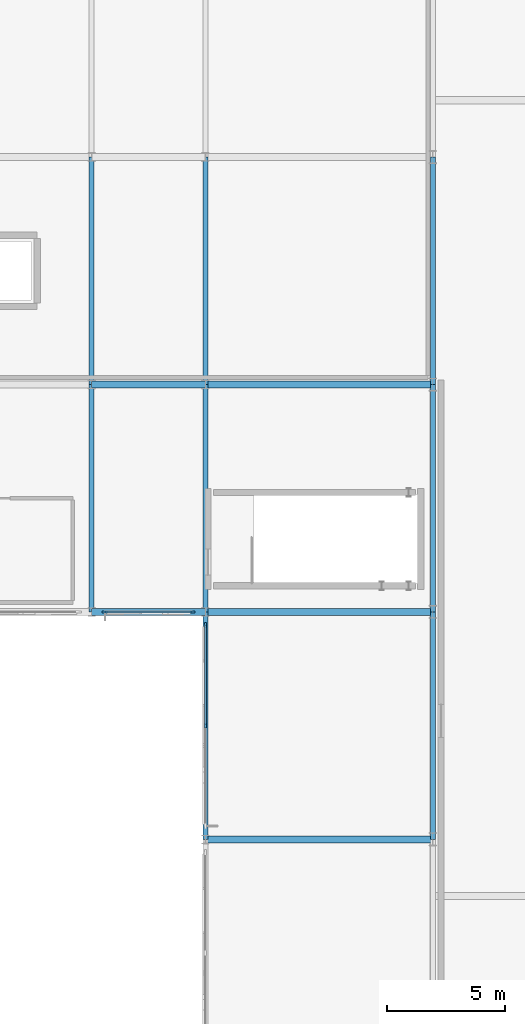
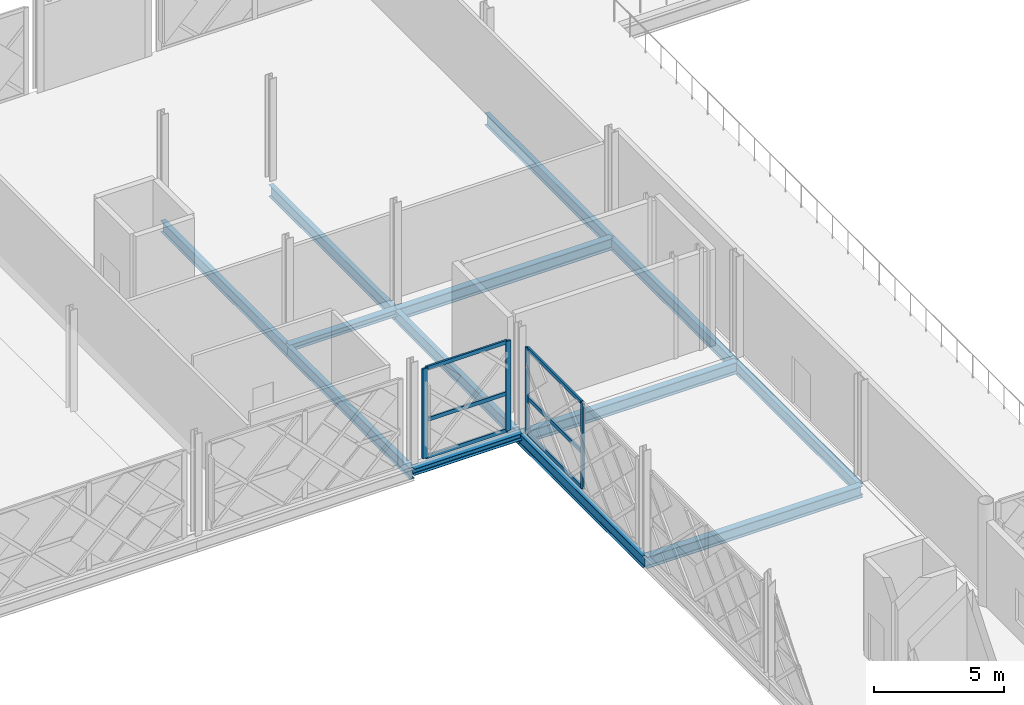
# One storey, part 30 of 77: 13 beams, 10 members, 2 elements without a shape of their own.
"""IFC4 building model written with IfcOpenShell, lengths in metres."""

from ifc_helpers import new_model, si_unit, direction, frame, origin, origin_2d, place, context, subcontext, project, spatial, rectangle, i_section, extrude, material, layer, layer_set, material_profile, profile_set, type_object, element, aggregate, save


model = new_model("IFC4")

# Units and contexts
model_context = context("Model", 3, precision=1e-05, world=origin(), true_north=direction((0.0, 1.0)))
body_context = subcontext(model_context, "Body", "Model", "MODEL_VIEW")
ifc_project = project(units=[si_unit("LENGTHUNIT", "METRE"), si_unit("AREAUNIT", "SQUARE_METRE"), si_unit("VOLUMEUNIT", "CUBIC_METRE"), si_unit("PLANEANGLEUNIT", "RADIAN"), si_unit("MASSUNIT", "GRAM", prefix="KILO")], contexts=[model_context])

# Site, building, storey
site_placement = place(None, origin())
site = spatial("IfcSite", under=ifc_project, at=site_placement, CompositionType="ELEMENT")
building_placement = place(site_placement, origin())
building = spatial("IfcBuilding", under=site, at=building_placement, Name="Zevrakil Square Congress Hotel", CompositionType="ELEMENT")
storey_placement = place(building_placement, frame((0.0, 0.0, 9.89990234375)))
storey = spatial("IfcBuildingStorey", under=building, at=storey_placement, Name="L03", CompositionType="ELEMENT", Elevation=9.89990234375)

# Beams
ifc_material_1 = material(Name="Steel S355", Category="steel")
ifc_material_profile_1 = material_profile(ifc_material_1, i_section(OverallWidth=0.300048828125, OverallDepth=0.31005859375, WebThickness=0.009033203125, FlangeThickness=0.015380859375, FilletRadius=0.027099609375, at=origin_2d()), Name="HEA 320")
ifc_profile_set_1 = profile_set([ifc_material_profile_1], Name="Steel S355")
beam_type_1 = type_object("IfcBeamType", Name="BM-HEA320", PredefinedType="BEAM", material=ifc_profile_set_1)
for number, where, z_axis, x_axis, name in (
    (1, (103.199951171875, 84.0, -0.414794921875), (1.0, 0.0, 0.0), (0.0, 1.0, 0.0), "L03 primary girder BX-1054"),
    (2, (103.199951171875, 93.60009765625, -0.414794921875), (1.0, 0.0, 0.0), (0.0, 1.0, 0.0), "L03 primary girder BX-1062"),
):
    element("IfcBeam", number, at=place(storey_placement, frame(where, z_axis=z_axis, x_axis=x_axis)), inside=storey, type_object=beam_type_1, Name=name, PredefinedType="BEAM", context=body_context, shape_type="SweptSolid", body=[
        extrude(i_section(OverallWidth=0.300048828125, OverallDepth=0.31005859375, WebThickness=0.009033203125, FlangeThickness=0.015380859375, FilletRadius=0.027099609375, at=origin_2d()), origin(), (0.0, 0.0, 1.0), 4.800048828125),
    ])
ifc_material_2 = material(Name="Steel S355", Category="steel")
ifc_material_profile_2 = material_profile(ifc_material_2, i_section(OverallWidth=0.300048828125, OverallDepth=0.5400390625, WebThickness=0.012451171875, FlangeThickness=0.02392578125, FilletRadius=0.027099609375, at=origin_2d()), Name="HEA 550")
ifc_profile_set_2 = profile_set([ifc_material_profile_2], Name="Steel S355")
beam_type_2 = type_object("IfcBeamType", Name="BM-HEA550", PredefinedType="BEAM", material=ifc_profile_set_2)
for number, where, z_axis, x_axis, name in (
    (3, (108.0, 74.39990234375, -0.52978515625), (1.0, 0.0, 0.0), (0.0, 1.0, 0.0), "L03 primary girder BX-1047"),
    (4, (108.0, 84.0, -0.52978515625), (1.0, 0.0, 0.0), (0.0, 1.0, 0.0), "L03 primary girder BX-1055"),
    (5, (108.0, 93.60009765625, -0.52978515625), (1.0, 0.0, 0.0), (0.0, 1.0, 0.0), "L03 primary girder BX-1063"),
):
    element("IfcBeam", number, at=place(storey_placement, frame(where, z_axis=z_axis, x_axis=x_axis)), inside=storey, type_object=beam_type_2, Name=name, PredefinedType="BEAM", context=body_context, shape_type="SweptSolid", body=[
        extrude(i_section(OverallWidth=0.300048828125, OverallDepth=0.5400390625, WebThickness=0.012451171875, FlangeThickness=0.02392578125, FilletRadius=0.027099609375, at=origin_2d()), origin(), (0.0, 0.0, 1.0), 9.60009765625),
    ])
ifc_material_3 = material(Name="Steel S355", Category="steel")
ifc_material_profile_3 = material_profile(ifc_material_3, i_section(OverallWidth=0.2099609375, OverallDepth=0.550048828125, WebThickness=0.010986328125, FlangeThickness=0.01708984375, FilletRadius=0.02392578125, at=origin_2d()), Name="IPE 550")
ifc_profile_set_3 = profile_set([ifc_material_profile_3], Name="Steel S355")
beam_type_3 = type_object("IfcBeamType", Name="BM-IPE550", PredefinedType="BEAM", material=ifc_profile_set_3)
beam_1_placement = place(storey_placement, frame((103.199951171875, 84.0, -0.534912109375), z_axis=(0.0, 1.0, 0.0), x_axis=(-1.0, 0.0, 0.0)))
element("IfcBeam", 6, at=beam_1_placement, inside=storey, type_object=beam_type_3, Name="L03 primary girder BY-1147", PredefinedType="BEAM", context=body_context, shape_type="SweptSolid", body=[
    extrude(i_section(OverallWidth=0.2099609375, OverallDepth=0.550048828125, WebThickness=0.010986328125, FlangeThickness=0.01708984375, FilletRadius=0.02392578125, at=origin_2d()), origin(), (0.0, 0.0, 1.0), 9.60009765625),
])
beam_2_placement = place(storey_placement, frame((103.199951171875, 93.60009765625, -0.534912109375), z_axis=(0.0, 1.0, 0.0), x_axis=(-1.0, 0.0, 0.0)))
element("IfcBeam", 7, at=beam_2_placement, inside=storey, type_object=beam_type_3, Name="L03 primary girder BY-1148", PredefinedType="BEAM", context=body_context, shape_type="SweptSolid", body=[
    extrude(i_section(OverallWidth=0.2099609375, OverallDepth=0.550048828125, WebThickness=0.010986328125, FlangeThickness=0.01708984375, FilletRadius=0.02392578125, at=origin_2d()), origin(), (0.0, 0.0, 1.0), 9.599853515625),
])
for number, where, z_axis, x_axis, name in (
    (8, (108.0, 74.39990234375, -0.534912109375), (0.0, 1.0, 0.0), (-1.0, 0.0, 0.0), "L03 primary girder BY-1157"),
    (9, (108.0, 84.0, -0.534912109375), (0.0, 1.0, 0.0), (-1.0, 0.0, 0.0), "L03 primary girder BY-1158"),
):
    element("IfcBeam", number, at=place(storey_placement, frame(where, z_axis=z_axis, x_axis=x_axis)), inside=storey, type_object=beam_type_3, Name=name, PredefinedType="BEAM", context=body_context, shape_type="SweptSolid", body=[
        extrude(i_section(OverallWidth=0.2099609375, OverallDepth=0.550048828125, WebThickness=0.010986328125, FlangeThickness=0.01708984375, FilletRadius=0.02392578125, at=origin_2d()), origin(), (0.0, 0.0, 1.0), 9.60009765625),
    ])
beam_3_placement = place(storey_placement, frame((108.0, 93.60009765625, -0.534912109375), z_axis=(0.0, 1.0, 0.0), x_axis=(-1.0, 0.0, 0.0)))
element("IfcBeam", 10, at=beam_3_placement, inside=storey, type_object=beam_type_3, Name="L03 primary girder BY-1159", PredefinedType="BEAM", context=body_context, shape_type="SweptSolid", body=[
    extrude(i_section(OverallWidth=0.2099609375, OverallDepth=0.550048828125, WebThickness=0.010986328125, FlangeThickness=0.01708984375, FilletRadius=0.02392578125, at=origin_2d()), origin(), (0.0, 0.0, 1.0), 9.599853515625),
])
for number, where, z_axis, x_axis, name in (
    (11, (117.60009765625, 74.39990234375, -0.534912109375), (0.0, 1.0, 0.0), (-1.0, 0.0, 0.0), "L03 primary girder BY-1168"),
    (12, (117.60009765625, 84.0, -0.534912109375), (0.0, 1.0, 0.0), (-1.0, 0.0, 0.0), "L03 primary girder BY-1169"),
):
    element("IfcBeam", number, at=place(storey_placement, frame(where, z_axis=z_axis, x_axis=x_axis)), inside=storey, type_object=beam_type_3, Name=name, PredefinedType="BEAM", context=body_context, shape_type="SweptSolid", body=[
        extrude(i_section(OverallWidth=0.2099609375, OverallDepth=0.550048828125, WebThickness=0.010986328125, FlangeThickness=0.01708984375, FilletRadius=0.02392578125, at=origin_2d()), origin(), (0.0, 0.0, 1.0), 9.60009765625),
    ])
beam_4_placement = place(storey_placement, frame((117.60009765625, 93.60009765625, -0.534912109375), z_axis=(0.0, 1.0, 0.0), x_axis=(-1.0, 0.0, 0.0)))
element("IfcBeam", 13, at=beam_4_placement, inside=storey, type_object=beam_type_3, Name="L03 primary girder BY-1170", PredefinedType="BEAM", context=body_context, shape_type="SweptSolid", body=[
    extrude(i_section(OverallWidth=0.2099609375, OverallDepth=0.550048828125, WebThickness=0.010986328125, FlangeThickness=0.01708984375, FilletRadius=0.02392578125, at=origin_2d()), origin(), (0.0, 0.0, 1.0), 9.599853515625),
])

# Curtain wall, members
ifc_material_4 = material(Name="Aluminium Anodised Bronze", Category="aluminium")
ifc_layer_1 = layer(ifc_material_4, 0.179931640625)
ifc_layer_set_1 = layer_set([ifc_layer_1], Name="Aluminium Anodised Bronze")
curtain_wall_type_1 = type_object("IfcCurtainWallType", Name="CW-L03-360", PredefinedType="USERDEFINED", material=ifc_layer_set_1)
curtain_wall_1_placement = place(storey_placement, origin())
curtain_wall_1 = element("IfcCurtainWall", 14, at=curtain_wall_1_placement, inside=storey, type_object=curtain_wall_type_1, Name="L03 diamond curtain wall CW-L03-0118", ObjectType="GLAZED CURTAIN WALL", PredefinedType="USERDEFINED")
ifc_material_5 = material(Name="Aluminium Anodised Bronze", Category="aluminium")
ifc_material_profile_4 = material_profile(ifc_material_5, rectangle(XDim=0.0849609375, YDim=0.179931640625, at=origin_2d()), Name="ALU 85x180")
ifc_profile_set_4 = profile_set([ifc_material_profile_4], Name="Aluminium Anodised Bronze")
member_type_1 = type_object("IfcMemberType", Name="CWM-ALU85x180", PredefinedType="USERDEFINED", material=ifc_profile_set_4)
member_1_placement = place(storey_placement, frame((103.780029296875, 84.0, 0.030029296875), z_axis=(1.0, 0.0, 0.0), x_axis=(0.0, 1.0, 0.0)))
member_1 = element("IfcMember", 15, at=member_1_placement, type_object=member_type_1, Name="CW-28 transom 1.1", ObjectType="TRANSOM", PredefinedType="USERDEFINED", context=body_context, shape_type="SweptSolid", body=[
    extrude(rectangle(XDim=0.0849609375, YDim=0.179931640625, at=origin_2d()), origin(), (0.0, 0.0, 1.0), 3.639892578125),
])
member_2_placement = place(storey_placement, frame((103.780029296875, 84.0, 1.7705078125), z_axis=(1.0, 0.0, 0.0), x_axis=(0.0, 1.0, 0.0)))
member_2 = element("IfcMember", 16, at=member_2_placement, type_object=member_type_1, Name="CW-28 transom 1.2", ObjectType="TRANSOM", PredefinedType="USERDEFINED", context=body_context, shape_type="SweptSolid", body=[
    extrude(rectangle(XDim=0.0849609375, YDim=0.179931640625, at=origin_2d()), origin(), (0.0, 0.0, 1.0), 3.639892578125),
])
member_3_placement = place(storey_placement, frame((103.780029296875, 84.0, 4.18505859375), z_axis=(1.0, 0.0, 0.0), x_axis=(0.0, 1.0, 0.0)))
member_3 = element("IfcMember", 17, at=member_3_placement, type_object=member_type_1, Name="CW-28 transom 1.3", ObjectType="TRANSOM", PredefinedType="USERDEFINED", context=body_context, shape_type="SweptSolid", body=[
    extrude(rectangle(XDim=0.0849609375, YDim=0.179931640625, at=origin_2d()), origin(), (0.0, 0.0, 1.0), 3.639892578125),
])

ifc_material_6 = material(Name="Aluminium Anodised Bronze", Category="aluminium")
ifc_layer_2 = layer(ifc_material_6, 0.179931640625)
ifc_layer_set_2 = layer_set([ifc_layer_2], Name="Aluminium Anodised Bronze")
curtain_wall_type_2 = type_object("IfcCurtainWallType", Name="CW-L03-840", PredefinedType="USERDEFINED", material=ifc_layer_set_2)
curtain_wall_2_placement = place(storey_placement, origin())
curtain_wall_2 = element("IfcCurtainWall", 18, at=curtain_wall_2_placement, inside=storey, type_object=curtain_wall_type_2, Name="L03 diamond curtain wall CW-L03-0142", ObjectType="GLAZED CURTAIN WALL", PredefinedType="USERDEFINED")
member_4_placement = place(storey_placement, frame((108.0, 79.22998046875, 0.030029296875), z_axis=(0.0, 1.0, 0.0), x_axis=(-1.0, 0.0, 0.0)))
member_4 = element("IfcMember", 19, at=member_4_placement, type_object=member_type_1, Name="CW-35 transom 2.1", ObjectType="TRANSOM", PredefinedType="USERDEFINED", context=body_context, shape_type="SweptSolid", body=[
    extrude(rectangle(XDim=0.0849609375, YDim=0.179931640625, at=origin_2d()), origin(), (0.0, 0.0, 1.0), 4.18994140625),
])
member_5_placement = place(storey_placement, frame((108.0, 79.22998046875, 1.690673828125), z_axis=(0.0, 1.0, 0.0), x_axis=(-1.0, 0.0, 0.0)))
member_5 = element("IfcMember", 20, at=member_5_placement, type_object=member_type_1, Name="CW-35 transom 2.2", ObjectType="TRANSOM", PredefinedType="USERDEFINED", context=body_context, shape_type="SweptSolid", body=[
    extrude(rectangle(XDim=0.0849609375, YDim=0.179931640625, at=origin_2d()), origin(), (0.0, 0.0, 1.0), 4.18994140625),
])
member_6_placement = place(storey_placement, frame((108.0, 79.22998046875, 3.9951171875), z_axis=(0.0, 1.0, 0.0), x_axis=(-1.0, 0.0, 0.0)))
member_6 = element("IfcMember", 21, at=member_6_placement, type_object=member_type_1, Name="CW-35 transom 2.3", ObjectType="TRANSOM", PredefinedType="USERDEFINED", context=body_context, shape_type="SweptSolid", body=[
    extrude(rectangle(XDim=0.0849609375, YDim=0.179931640625, at=origin_2d()), origin(), (0.0, 0.0, 1.0), 4.18994140625),
])

# Member
ifc_material_7 = material(Name="Aluminium Anodised Bronze", Category="aluminium")
ifc_material_profile_5 = material_profile(ifc_material_7, rectangle(XDim=0.0849609375, YDim=0.219970703125, at=origin_2d()), Name="ALU 85x220")
ifc_profile_set_5 = profile_set([ifc_material_profile_5], Name="Aluminium Anodised Bronze")
member_type_2 = type_object("IfcMemberType", Name="CWM-ALU85x220", PredefinedType="MULLION", material=ifc_profile_set_5)
member_7_placement = place(storey_placement, frame((103.75, 84.0, 0.0), z_axis=(0.0, 0.0, 1.0), x_axis=(0.0, 1.0, 0.0)))
member_7 = element("IfcMember", 22, at=member_7_placement, type_object=member_type_2, Name="CW-28 mullion 1", PredefinedType="MULLION", context=body_context, shape_type="SweptSolid", body=[
    extrude(rectangle(XDim=0.0849609375, YDim=0.219970703125, at=origin_2d()), origin(), (0.0, 0.0, 1.0), 4.215087890625),
])

member_8_placement = place(storey_placement, frame((107.449951171875, 84.0, 0.0), z_axis=(0.0, 0.0, 1.0), x_axis=(0.0, 1.0, 0.0)))
member_8 = element("IfcMember", 23, at=member_8_placement, type_object=member_type_2, Name="CW-28 mullion 2", PredefinedType="MULLION", context=body_context, shape_type="SweptSolid", body=[
    extrude(rectangle(XDim=0.0849609375, YDim=0.219970703125, at=origin_2d()), origin(), (0.0, 0.0, 1.0), 4.215087890625),
])

aggregate(curtain_wall_1, [member_7, member_8, member_1, member_2, member_3])

member_9_placement = place(storey_placement, frame((108.0, 79.199951171875, 0.0), z_axis=(0.0, 0.0, 1.0), x_axis=(-1.0, 0.0, 0.0)))
member_9 = element("IfcMember", 24, at=member_9_placement, type_object=member_type_2, Name="CW-35 mullion 2", PredefinedType="MULLION", context=body_context, shape_type="SweptSolid", body=[
    extrude(rectangle(XDim=0.0849609375, YDim=0.219970703125, at=origin_2d()), origin(), (0.0, 0.0, 1.0), 4.025146484375),
])

member_10_placement = place(storey_placement, frame((108.0, 83.449951171875, 0.0), z_axis=(0.0, 0.0, 1.0), x_axis=(-1.0, 0.0, 0.0)))
member_10 = element("IfcMember", 25, at=member_10_placement, type_object=member_type_2, Name="CW-35 mullion 3", PredefinedType="MULLION", context=body_context, shape_type="SweptSolid", body=[
    extrude(rectangle(XDim=0.0849609375, YDim=0.219970703125, at=origin_2d()), origin(), (0.0, 0.0, 1.0), 4.025146484375),
])

aggregate(curtain_wall_2, [member_9, member_10, member_4, member_5, member_6])

save(model, "model.ifc")
